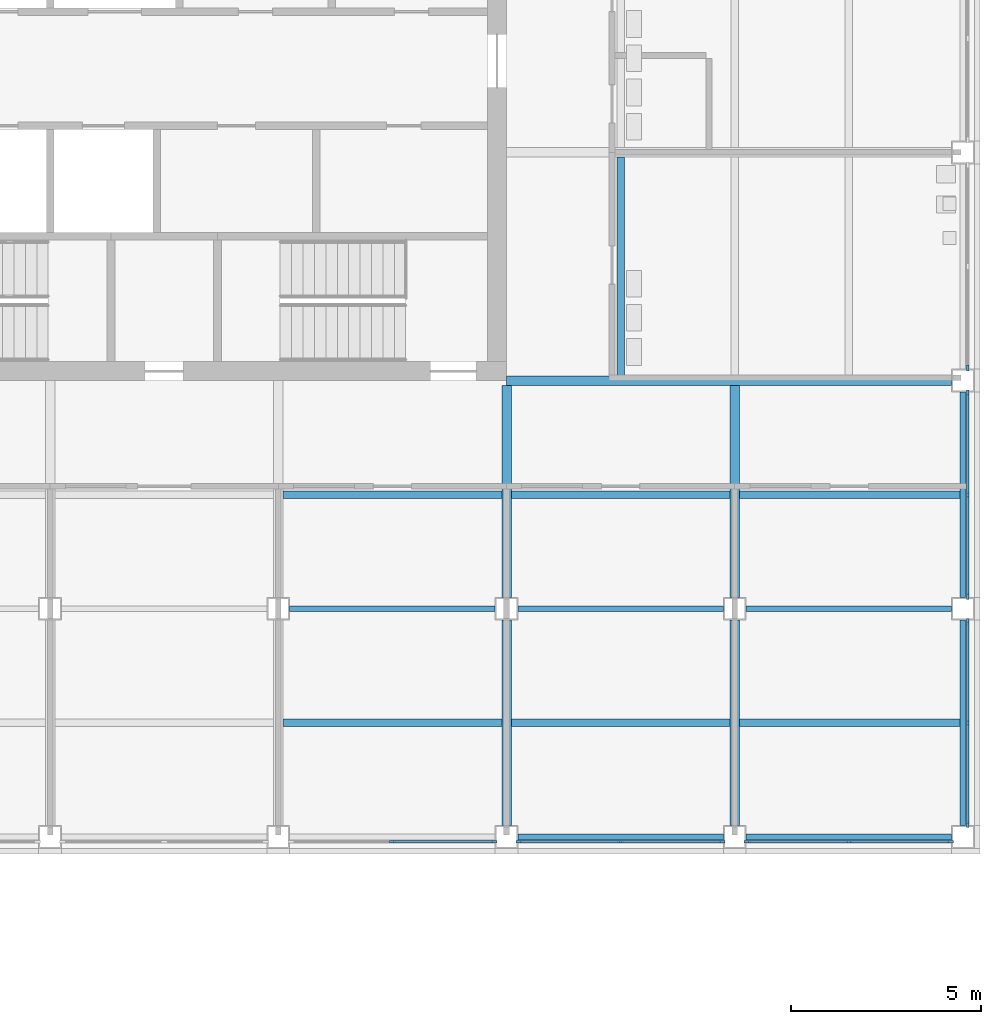
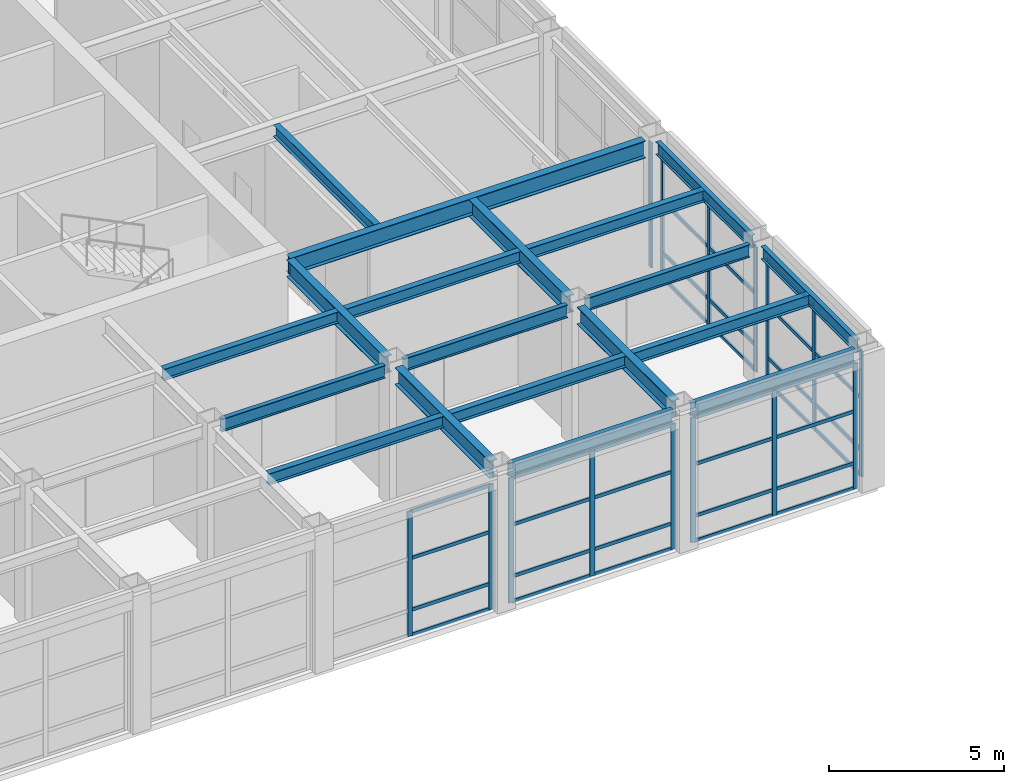
# One storey, part 12 of 67: 51 members, 19 beams, 6 elements without a shape of their own.
"""IFC4 building model written with IfcOpenShell, lengths in metres."""

from ifc_helpers import new_model, si_unit, direction, frame, origin, origin_2d, place, context, subcontext, project, spatial, rectangle, i_section, extrude, material, material_profile, profile_set, type_object, element, aggregate, save


model = new_model("IFC4")

# Units and contexts
model_context = context("Model", 3, precision=1e-05, world=origin(), true_north=direction((0.0, 1.0)))
body_context = subcontext(model_context, "Body", "Model", "MODEL_VIEW")
ifc_project = project(units=[si_unit("LENGTHUNIT", "METRE"), si_unit("AREAUNIT", "SQUARE_METRE"), si_unit("VOLUMEUNIT", "CUBIC_METRE"), si_unit("PLANEANGLEUNIT", "RADIAN"), si_unit("MASSUNIT", "GRAM", prefix="KILO")], contexts=[model_context])

# Site, building, storey
site_placement = place(None, origin())
site = spatial("IfcSite", under=ifc_project, at=site_placement, CompositionType="ELEMENT")
building_placement = place(site_placement, origin())
building = spatial("IfcBuilding", under=site, at=building_placement, Name="Aravalli Gate Trade Fair Centre", CompositionType="ELEMENT")
storey_placement = place(building_placement, frame((0.0, 0.0, 5.0)))
storey = spatial("IfcBuildingStorey", under=building, at=storey_placement, Name="L01", CompositionType="ELEMENT", Elevation=5.0)

# Beams
ifc_material_1 = material(Name="Steel E350", Category="steel")
ifc_material_profile_1 = material_profile(ifc_material_1, i_section(OverallWidth=0.25, OverallDepth=0.60009765625, WebThickness=0.01123046875, FlangeThickness=0.021240234375, at=origin_2d()), Name="ISWB 600")
ifc_profile_set_1 = profile_set([ifc_material_profile_1], Name="Steel E350")
beam_type_1 = type_object("IfcBeamType", Name="Wing core to perimeter girder ISWB 600 (podium floors)", PredefinedType="BEAM", material=ifc_profile_set_1)
beam_1_placement = place(storey_placement, frame((190.0, 103.0, 4.5), z_axis=(1.0, 0.0, 0.0), x_axis=(0.0, 1.0, 0.0)))
element("IfcBeam", 1, at=beam_1_placement, inside=storey, type_object=beam_type_1, Name="Core to perimeter girder PE0 L02", PredefinedType="BEAM", context=body_context, shape_type="SweptSolid", body=[
    extrude(i_section(OverallWidth=0.25, OverallDepth=0.60009765625, WebThickness=0.01123046875, FlangeThickness=0.021240234375, at=origin_2d()), origin(), (0.0, 0.0, 1.0), 11.699951171875),
])
beam_2_placement = place(storey_placement, frame((190.0, 91.300048828125, 4.5), z_axis=(0.0, 1.0, 0.0), x_axis=(-1.0, 0.0, 0.0)))
element("IfcBeam", 2, at=beam_2_placement, inside=storey, type_object=beam_type_1, Name="Core to perimeter girder PS3a L02", PredefinedType="BEAM", context=body_context, shape_type="SweptSolid", body=[
    extrude(i_section(OverallWidth=0.25, OverallDepth=0.60009765625, WebThickness=0.01123046875, FlangeThickness=0.021240234375, at=origin_2d()), origin(), (0.0, 0.0, 1.0), 5.39990234375),
])
beam_3_placement = place(storey_placement, frame((190.0, 97.300048828125, 4.5), z_axis=(0.0, 1.0, 0.0), x_axis=(-1.0, 0.0, 0.0)))
element("IfcBeam", 3, at=beam_3_placement, inside=storey, type_object=beam_type_1, Name="Core to perimeter girder PS3b L02", PredefinedType="BEAM", context=body_context, shape_type="SweptSolid", body=[
    extrude(i_section(OverallWidth=0.25, OverallDepth=0.60009765625, WebThickness=0.01123046875, FlangeThickness=0.021240234375, at=origin_2d()), origin(), (0.0, 0.0, 1.0), 5.574951171875),
])
ifc_material_profile_2 = material_profile(ifc_material_1, i_section(OverallWidth=0.25, OverallDepth=0.60009765625, WebThickness=0.01123046875, FlangeThickness=0.021240234375, at=origin_2d()), Name="ISWB 600")
ifc_profile_set_2 = profile_set([ifc_material_profile_2], Name="Steel E350")
beam_type_2 = type_object("IfcBeamType", Name="Wing corner transfer girder ISWB 600 (podium floors)", PredefinedType="BEAM", material=ifc_profile_set_2)
beam_4_placement = place(storey_placement, frame((196.0, 91.300048828125, 4.5), z_axis=(0.0, 1.0, 0.0), x_axis=(-1.0, 0.0, 0.0)))
element("IfcBeam", 4, at=beam_4_placement, inside=storey, type_object=beam_type_2, Name="Corner transfer girder CSEya L02", PredefinedType="BEAM", context=body_context, shape_type="SweptSolid", body=[
    extrude(i_section(OverallWidth=0.25, OverallDepth=0.60009765625, WebThickness=0.01123046875, FlangeThickness=0.021240234375, at=origin_2d()), origin(), (0.0, 0.0, 1.0), 5.39990234375),
])
beam_5_placement = place(storey_placement, frame((196.0, 97.300048828125, 4.5), z_axis=(0.0, 1.0, 0.0), x_axis=(-1.0, 0.0, 0.0)))
element("IfcBeam", 5, at=beam_5_placement, inside=storey, type_object=beam_type_2, Name="Corner transfer girder CSEyb L02", PredefinedType="BEAM", context=body_context, shape_type="SweptSolid", body=[
    extrude(i_section(OverallWidth=0.25, OverallDepth=0.60009765625, WebThickness=0.01123046875, FlangeThickness=0.021240234375, at=origin_2d()), origin(), (0.0, 0.0, 1.0), 5.574951171875),
])

# Curtain wall, members
ifc_material_2 = material(Name="Aluminium and glass", Category="aluminium")
curtain_wall_type = type_object("IfcCurtainWallType", Name="Wing curtain wall", PredefinedType="NOTDEFINED", material=ifc_material_2)
curtain_wall_1_placement = place(storey_placement, origin())
curtain_wall_1 = element("IfcCurtainWall", 6, at=curtain_wall_1_placement, inside=storey, type_object=curtain_wall_type, Name="Curtain wall S4 L01", PredefinedType="NOTDEFINED")
ifc_material_3 = material(Name="Aluminium", Category="aluminium")
ifc_material_profile_3 = material_profile(ifc_material_3, rectangle(XDim=0.06005859375, YDim=0.159912109375, at=origin_2d()), Name="Wing curtain wall mullion 60 x 160")
ifc_profile_set_3 = profile_set([ifc_material_profile_3], Name="Aluminium")
member_type_1 = type_object("IfcMemberType", Name="Wing curtain wall mullion 60 x 160", PredefinedType="MULLION", material=ifc_profile_set_3)
member_1_placement = place(storey_placement, frame((187.0, 90.875, 0.0), z_axis=(0.0, 0.0, 1.0), x_axis=(0.0, 1.0, 0.0)))
member_1 = element("IfcMember", 7, at=member_1_placement, type_object=member_type_1, Name="TCW1 mullion 2", PredefinedType="MULLION", context=body_context, shape_type="SweptSolid", body=[
    extrude(rectangle(XDim=0.06005859375, YDim=0.159912109375, at=origin_2d()), origin(), (0.0, 0.0, 1.0), 4.35009765625),
])
member_2_placement = place(storey_placement, frame((189.669921875, 90.875, 0.0), z_axis=(0.0, 0.0, 1.0), x_axis=(0.0, 1.0, 0.0)))
member_2 = element("IfcMember", 8, at=member_2_placement, type_object=member_type_1, Name="TCW1 mullion 3", PredefinedType="MULLION", context=body_context, shape_type="SweptSolid", body=[
    extrude(rectangle(XDim=0.06005859375, YDim=0.159912109375, at=origin_2d()), origin(), (0.0, 0.0, 1.0), 4.35009765625),
])

curtain_wall_2_placement = place(storey_placement, origin())
curtain_wall_2 = element("IfcCurtainWall", 9, at=curtain_wall_2_placement, inside=storey, type_object=curtain_wall_type, Name="Curtain wall S5 L01", PredefinedType="NOTDEFINED")
member_3_placement = place(storey_placement, frame((190.330078125, 90.875, 0.0), z_axis=(0.0, 0.0, 1.0), x_axis=(0.0, 1.0, 0.0)))
member_3 = element("IfcMember", 10, at=member_3_placement, type_object=member_type_1, Name="TCW1 mullion 1", PredefinedType="MULLION", context=body_context, shape_type="SweptSolid", body=[
    extrude(rectangle(XDim=0.06005859375, YDim=0.159912109375, at=origin_2d()), origin(), (0.0, 0.0, 1.0), 4.35009765625),
])
member_4_placement = place(storey_placement, frame((193.0, 90.875, 0.0), z_axis=(0.0, 0.0, 1.0), x_axis=(0.0, 1.0, 0.0)))
member_4 = element("IfcMember", 11, at=member_4_placement, type_object=member_type_1, Name="TCW1 mullion 2", PredefinedType="MULLION", context=body_context, shape_type="SweptSolid", body=[
    extrude(rectangle(XDim=0.06005859375, YDim=0.159912109375, at=origin_2d()), origin(), (0.0, 0.0, 1.0), 4.35009765625),
])
member_5_placement = place(storey_placement, frame((195.669921875, 90.875, 0.0), z_axis=(0.0, 0.0, 1.0), x_axis=(0.0, 1.0, 0.0)))
member_5 = element("IfcMember", 12, at=member_5_placement, type_object=member_type_1, Name="TCW1 mullion 3", PredefinedType="MULLION", context=body_context, shape_type="SweptSolid", body=[
    extrude(rectangle(XDim=0.06005859375, YDim=0.159912109375, at=origin_2d()), origin(), (0.0, 0.0, 1.0), 4.35009765625),
])

curtain_wall_3_placement = place(storey_placement, origin())
curtain_wall_3 = element("IfcCurtainWall", 13, at=curtain_wall_3_placement, inside=storey, type_object=curtain_wall_type, Name="Curtain wall S6 L01", PredefinedType="NOTDEFINED")
member_6_placement = place(storey_placement, frame((196.330078125, 90.875, 0.0), z_axis=(0.0, 0.0, 1.0), x_axis=(0.0, 1.0, 0.0)))
member_6 = element("IfcMember", 14, at=member_6_placement, type_object=member_type_1, Name="TCW1 mullion 1", PredefinedType="MULLION", context=body_context, shape_type="SweptSolid", body=[
    extrude(rectangle(XDim=0.06005859375, YDim=0.159912109375, at=origin_2d()), origin(), (0.0, 0.0, 1.0), 4.35009765625),
])
member_7_placement = place(storey_placement, frame((199.0, 90.875, 0.0), z_axis=(0.0, 0.0, 1.0), x_axis=(0.0, 1.0, 0.0)))
member_7 = element("IfcMember", 15, at=member_7_placement, type_object=member_type_1, Name="TCW1 mullion 2", PredefinedType="MULLION", context=body_context, shape_type="SweptSolid", body=[
    extrude(rectangle(XDim=0.06005859375, YDim=0.159912109375, at=origin_2d()), origin(), (0.0, 0.0, 1.0), 4.35009765625),
])
member_8_placement = place(storey_placement, frame((201.669921875, 90.875, 0.0), z_axis=(0.0, 0.0, 1.0), x_axis=(0.0, 1.0, 0.0)))
member_8 = element("IfcMember", 16, at=member_8_placement, type_object=member_type_1, Name="TCW1 mullion 3", PredefinedType="MULLION", context=body_context, shape_type="SweptSolid", body=[
    extrude(rectangle(XDim=0.06005859375, YDim=0.159912109375, at=origin_2d()), origin(), (0.0, 0.0, 1.0), 4.35009765625),
])

curtain_wall_4_placement = place(storey_placement, origin())
curtain_wall_4 = element("IfcCurtainWall", 17, at=curtain_wall_4_placement, inside=storey, type_object=curtain_wall_type, Name="Curtain wall E0 L01", PredefinedType="NOTDEFINED")
member_9_placement = place(storey_placement, frame((202.125, 91.330078125, 0.0), z_axis=(0.0, 0.0, 1.0), x_axis=(-1.0, 0.0, 0.0)))
member_9 = element("IfcMember", 18, at=member_9_placement, type_object=member_type_1, Name="TCW1 mullion 1", PredefinedType="MULLION", context=body_context, shape_type="SweptSolid", body=[
    extrude(rectangle(XDim=0.06005859375, YDim=0.159912109375, at=origin_2d()), origin(), (0.0, 0.0, 1.0), 4.35009765625),
])
member_10_placement = place(storey_placement, frame((202.125, 94.0, 0.0), z_axis=(0.0, 0.0, 1.0), x_axis=(-1.0, 0.0, 0.0)))
member_10 = element("IfcMember", 19, at=member_10_placement, type_object=member_type_1, Name="TCW1 mullion 2", PredefinedType="MULLION", context=body_context, shape_type="SweptSolid", body=[
    extrude(rectangle(XDim=0.06005859375, YDim=0.159912109375, at=origin_2d()), origin(), (0.0, 0.0, 1.0), 4.35009765625),
])
member_11_placement = place(storey_placement, frame((202.125, 96.669921875, 0.0), z_axis=(0.0, 0.0, 1.0), x_axis=(-1.0, 0.0, 0.0)))
member_11 = element("IfcMember", 20, at=member_11_placement, type_object=member_type_1, Name="TCW1 mullion 3", PredefinedType="MULLION", context=body_context, shape_type="SweptSolid", body=[
    extrude(rectangle(XDim=0.06005859375, YDim=0.159912109375, at=origin_2d()), origin(), (0.0, 0.0, 1.0), 4.35009765625),
])

curtain_wall_5_placement = place(storey_placement, origin())
curtain_wall_5 = element("IfcCurtainWall", 21, at=curtain_wall_5_placement, inside=storey, type_object=curtain_wall_type, Name="Curtain wall E1 L01", PredefinedType="NOTDEFINED")
member_12_placement = place(storey_placement, frame((202.125, 97.330078125, 0.0), z_axis=(0.0, 0.0, 1.0), x_axis=(-1.0, 0.0, 0.0)))
member_12 = element("IfcMember", 22, at=member_12_placement, type_object=member_type_1, Name="TCW1 mullion 1", PredefinedType="MULLION", context=body_context, shape_type="SweptSolid", body=[
    extrude(rectangle(XDim=0.06005859375, YDim=0.159912109375, at=origin_2d()), origin(), (0.0, 0.0, 1.0), 4.35009765625),
])
member_13_placement = place(storey_placement, frame((202.125, 100.0, 0.0), z_axis=(0.0, 0.0, 1.0), x_axis=(-1.0, 0.0, 0.0)))
member_13 = element("IfcMember", 23, at=member_13_placement, type_object=member_type_1, Name="TCW1 mullion 2", PredefinedType="MULLION", context=body_context, shape_type="SweptSolid", body=[
    extrude(rectangle(XDim=0.06005859375, YDim=0.159912109375, at=origin_2d()), origin(), (0.0, 0.0, 1.0), 4.35009765625),
])
member_14_placement = place(storey_placement, frame((202.125, 102.669921875, 0.0), z_axis=(0.0, 0.0, 1.0), x_axis=(-1.0, 0.0, 0.0)))
member_14 = element("IfcMember", 24, at=member_14_placement, type_object=member_type_1, Name="TCW1 mullion 3", PredefinedType="MULLION", context=body_context, shape_type="SweptSolid", body=[
    extrude(rectangle(XDim=0.06005859375, YDim=0.159912109375, at=origin_2d()), origin(), (0.0, 0.0, 1.0), 4.35009765625),
])

# Curtain wall, member
curtain_wall_6_placement = place(storey_placement, origin())
curtain_wall_6 = element("IfcCurtainWall", 25, at=curtain_wall_6_placement, inside=storey, type_object=curtain_wall_type, Name="Curtain wall E2 L01", PredefinedType="NOTDEFINED")
member_15_placement = place(storey_placement, frame((202.125, 103.330078125, 0.0), z_axis=(0.0, 0.0, 1.0), x_axis=(-1.0, 0.0, 0.0)))
member_15 = element("IfcMember", 26, at=member_15_placement, type_object=member_type_1, Name="TCW1 mullion 1", PredefinedType="MULLION", context=body_context, shape_type="SweptSolid", body=[
    extrude(rectangle(XDim=0.06005859375, YDim=0.159912109375, at=origin_2d()), origin(), (0.0, 0.0, 1.0), 4.35009765625),
])
aggregate(curtain_wall_6, [member_15])

# Member
ifc_material_profile_4 = material_profile(ifc_material_3, rectangle(XDim=0.06005859375, YDim=0.1201171875, at=origin_2d()), Name="Wing curtain wall transom 60 x 120")
ifc_profile_set_4 = profile_set([ifc_material_profile_4], Name="Aluminium")
member_type_2 = type_object("IfcMemberType", Name="Wing curtain wall transom 60 x 120", PredefinedType="USERDEFINED", material=ifc_profile_set_4)
member_16_placement = place(storey_placement, frame((187.030029296875, 90.875, 0.030029296875), z_axis=(1.0, 0.0, 0.0), x_axis=(0.0, 1.0, 0.0)))
member_16 = element("IfcMember", 27, at=member_16_placement, type_object=member_type_2, Name="TCW1 transom 2.1", ObjectType="TRANSOM", PredefinedType="USERDEFINED", context=body_context, shape_type="SweptSolid", body=[
    extrude(rectangle(XDim=0.06005859375, YDim=0.1201171875, at=origin_2d()), origin(), (0.0, 0.0, 1.0), 2.60986328125),
])

member_17_placement = place(storey_placement, frame((187.030029296875, 90.875, 0.89990234375), z_axis=(1.0, 0.0, 0.0), x_axis=(0.0, 1.0, 0.0)))
member_17 = element("IfcMember", 28, at=member_17_placement, type_object=member_type_2, Name="TCW1 transom 2.2", ObjectType="TRANSOM", PredefinedType="USERDEFINED", context=body_context, shape_type="SweptSolid", body=[
    extrude(rectangle(XDim=0.06005859375, YDim=0.1201171875, at=origin_2d()), origin(), (0.0, 0.0, 1.0), 2.60986328125),
])

member_18_placement = place(storey_placement, frame((187.030029296875, 90.875, 2.699951171875), z_axis=(1.0, 0.0, 0.0), x_axis=(0.0, 1.0, 0.0)))
member_18 = element("IfcMember", 29, at=member_18_placement, type_object=member_type_2, Name="TCW1 transom 2.3", ObjectType="TRANSOM", PredefinedType="USERDEFINED", context=body_context, shape_type="SweptSolid", body=[
    extrude(rectangle(XDim=0.06005859375, YDim=0.1201171875, at=origin_2d()), origin(), (0.0, 0.0, 1.0), 2.60986328125),
])

member_19_placement = place(storey_placement, frame((187.030029296875, 90.875, 4.320068359375), z_axis=(1.0, 0.0, 0.0), x_axis=(0.0, 1.0, 0.0)))
member_19 = element("IfcMember", 30, at=member_19_placement, type_object=member_type_2, Name="TCW1 transom 2.4", ObjectType="TRANSOM", PredefinedType="USERDEFINED", context=body_context, shape_type="SweptSolid", body=[
    extrude(rectangle(XDim=0.06005859375, YDim=0.1201171875, at=origin_2d()), origin(), (0.0, 0.0, 1.0), 2.60986328125),
])

aggregate(curtain_wall_1, [member_1, member_2, member_16, member_17, member_18, member_19])

member_20_placement = place(storey_placement, frame((190.360107421875, 90.875, 0.030029296875), z_axis=(1.0, 0.0, 0.0), x_axis=(0.0, 1.0, 0.0)))
member_20 = element("IfcMember", 31, at=member_20_placement, type_object=member_type_2, Name="TCW1 transom 1.1", ObjectType="TRANSOM", PredefinedType="USERDEFINED", context=body_context, shape_type="SweptSolid", body=[
    extrude(rectangle(XDim=0.06005859375, YDim=0.1201171875, at=origin_2d()), origin(), (0.0, 0.0, 1.0), 2.60986328125),
])

member_21_placement = place(storey_placement, frame((190.360107421875, 90.875, 0.89990234375), z_axis=(1.0, 0.0, 0.0), x_axis=(0.0, 1.0, 0.0)))
member_21 = element("IfcMember", 32, at=member_21_placement, type_object=member_type_2, Name="TCW1 transom 1.2", ObjectType="TRANSOM", PredefinedType="USERDEFINED", context=body_context, shape_type="SweptSolid", body=[
    extrude(rectangle(XDim=0.06005859375, YDim=0.1201171875, at=origin_2d()), origin(), (0.0, 0.0, 1.0), 2.60986328125),
])

member_22_placement = place(storey_placement, frame((190.360107421875, 90.875, 2.699951171875), z_axis=(1.0, 0.0, 0.0), x_axis=(0.0, 1.0, 0.0)))
member_22 = element("IfcMember", 33, at=member_22_placement, type_object=member_type_2, Name="TCW1 transom 1.3", ObjectType="TRANSOM", PredefinedType="USERDEFINED", context=body_context, shape_type="SweptSolid", body=[
    extrude(rectangle(XDim=0.06005859375, YDim=0.1201171875, at=origin_2d()), origin(), (0.0, 0.0, 1.0), 2.60986328125),
])

member_23_placement = place(storey_placement, frame((190.360107421875, 90.875, 4.320068359375), z_axis=(1.0, 0.0, 0.0), x_axis=(0.0, 1.0, 0.0)))
member_23 = element("IfcMember", 34, at=member_23_placement, type_object=member_type_2, Name="TCW1 transom 1.4", ObjectType="TRANSOM", PredefinedType="USERDEFINED", context=body_context, shape_type="SweptSolid", body=[
    extrude(rectangle(XDim=0.06005859375, YDim=0.1201171875, at=origin_2d()), origin(), (0.0, 0.0, 1.0), 2.60986328125),
])

member_24_placement = place(storey_placement, frame((193.030029296875, 90.875, 0.030029296875), z_axis=(1.0, 0.0, 0.0), x_axis=(0.0, 1.0, 0.0)))
member_24 = element("IfcMember", 35, at=member_24_placement, type_object=member_type_2, Name="TCW1 transom 2.1", ObjectType="TRANSOM", PredefinedType="USERDEFINED", context=body_context, shape_type="SweptSolid", body=[
    extrude(rectangle(XDim=0.06005859375, YDim=0.1201171875, at=origin_2d()), origin(), (0.0, 0.0, 1.0), 2.60986328125),
])

member_25_placement = place(storey_placement, frame((193.030029296875, 90.875, 0.89990234375), z_axis=(1.0, 0.0, 0.0), x_axis=(0.0, 1.0, 0.0)))
member_25 = element("IfcMember", 36, at=member_25_placement, type_object=member_type_2, Name="TCW1 transom 2.2", ObjectType="TRANSOM", PredefinedType="USERDEFINED", context=body_context, shape_type="SweptSolid", body=[
    extrude(rectangle(XDim=0.06005859375, YDim=0.1201171875, at=origin_2d()), origin(), (0.0, 0.0, 1.0), 2.60986328125),
])

member_26_placement = place(storey_placement, frame((193.030029296875, 90.875, 2.699951171875), z_axis=(1.0, 0.0, 0.0), x_axis=(0.0, 1.0, 0.0)))
member_26 = element("IfcMember", 37, at=member_26_placement, type_object=member_type_2, Name="TCW1 transom 2.3", ObjectType="TRANSOM", PredefinedType="USERDEFINED", context=body_context, shape_type="SweptSolid", body=[
    extrude(rectangle(XDim=0.06005859375, YDim=0.1201171875, at=origin_2d()), origin(), (0.0, 0.0, 1.0), 2.60986328125),
])

member_27_placement = place(storey_placement, frame((193.030029296875, 90.875, 4.320068359375), z_axis=(1.0, 0.0, 0.0), x_axis=(0.0, 1.0, 0.0)))
member_27 = element("IfcMember", 38, at=member_27_placement, type_object=member_type_2, Name="TCW1 transom 2.4", ObjectType="TRANSOM", PredefinedType="USERDEFINED", context=body_context, shape_type="SweptSolid", body=[
    extrude(rectangle(XDim=0.06005859375, YDim=0.1201171875, at=origin_2d()), origin(), (0.0, 0.0, 1.0), 2.60986328125),
])

aggregate(curtain_wall_2, [member_3, member_4, member_5, member_20, member_21, member_22, member_23, member_24, member_25, member_26, member_27])

member_28_placement = place(storey_placement, frame((196.360107421875, 90.875, 0.030029296875), z_axis=(1.0, 0.0, 0.0), x_axis=(0.0, 1.0, 0.0)))
member_28 = element("IfcMember", 39, at=member_28_placement, type_object=member_type_2, Name="TCW1 transom 1.1", ObjectType="TRANSOM", PredefinedType="USERDEFINED", context=body_context, shape_type="SweptSolid", body=[
    extrude(rectangle(XDim=0.06005859375, YDim=0.1201171875, at=origin_2d()), origin(), (0.0, 0.0, 1.0), 2.60986328125),
])

member_29_placement = place(storey_placement, frame((196.360107421875, 90.875, 0.89990234375), z_axis=(1.0, 0.0, 0.0), x_axis=(0.0, 1.0, 0.0)))
member_29 = element("IfcMember", 40, at=member_29_placement, type_object=member_type_2, Name="TCW1 transom 1.2", ObjectType="TRANSOM", PredefinedType="USERDEFINED", context=body_context, shape_type="SweptSolid", body=[
    extrude(rectangle(XDim=0.06005859375, YDim=0.1201171875, at=origin_2d()), origin(), (0.0, 0.0, 1.0), 2.60986328125),
])

member_30_placement = place(storey_placement, frame((196.360107421875, 90.875, 2.699951171875), z_axis=(1.0, 0.0, 0.0), x_axis=(0.0, 1.0, 0.0)))
member_30 = element("IfcMember", 41, at=member_30_placement, type_object=member_type_2, Name="TCW1 transom 1.3", ObjectType="TRANSOM", PredefinedType="USERDEFINED", context=body_context, shape_type="SweptSolid", body=[
    extrude(rectangle(XDim=0.06005859375, YDim=0.1201171875, at=origin_2d()), origin(), (0.0, 0.0, 1.0), 2.60986328125),
])

member_31_placement = place(storey_placement, frame((196.360107421875, 90.875, 4.320068359375), z_axis=(1.0, 0.0, 0.0), x_axis=(0.0, 1.0, 0.0)))
member_31 = element("IfcMember", 42, at=member_31_placement, type_object=member_type_2, Name="TCW1 transom 1.4", ObjectType="TRANSOM", PredefinedType="USERDEFINED", context=body_context, shape_type="SweptSolid", body=[
    extrude(rectangle(XDim=0.06005859375, YDim=0.1201171875, at=origin_2d()), origin(), (0.0, 0.0, 1.0), 2.60986328125),
])

member_32_placement = place(storey_placement, frame((199.030029296875, 90.875, 0.030029296875), z_axis=(1.0, 0.0, 0.0), x_axis=(0.0, 1.0, 0.0)))
member_32 = element("IfcMember", 43, at=member_32_placement, type_object=member_type_2, Name="TCW1 transom 2.1", ObjectType="TRANSOM", PredefinedType="USERDEFINED", context=body_context, shape_type="SweptSolid", body=[
    extrude(rectangle(XDim=0.06005859375, YDim=0.1201171875, at=origin_2d()), origin(), (0.0, 0.0, 1.0), 2.60986328125),
])

member_33_placement = place(storey_placement, frame((199.030029296875, 90.875, 0.89990234375), z_axis=(1.0, 0.0, 0.0), x_axis=(0.0, 1.0, 0.0)))
member_33 = element("IfcMember", 44, at=member_33_placement, type_object=member_type_2, Name="TCW1 transom 2.2", ObjectType="TRANSOM", PredefinedType="USERDEFINED", context=body_context, shape_type="SweptSolid", body=[
    extrude(rectangle(XDim=0.06005859375, YDim=0.1201171875, at=origin_2d()), origin(), (0.0, 0.0, 1.0), 2.60986328125),
])

member_34_placement = place(storey_placement, frame((199.030029296875, 90.875, 2.699951171875), z_axis=(1.0, 0.0, 0.0), x_axis=(0.0, 1.0, 0.0)))
member_34 = element("IfcMember", 45, at=member_34_placement, type_object=member_type_2, Name="TCW1 transom 2.3", ObjectType="TRANSOM", PredefinedType="USERDEFINED", context=body_context, shape_type="SweptSolid", body=[
    extrude(rectangle(XDim=0.06005859375, YDim=0.1201171875, at=origin_2d()), origin(), (0.0, 0.0, 1.0), 2.60986328125),
])

member_35_placement = place(storey_placement, frame((199.030029296875, 90.875, 4.320068359375), z_axis=(1.0, 0.0, 0.0), x_axis=(0.0, 1.0, 0.0)))
member_35 = element("IfcMember", 46, at=member_35_placement, type_object=member_type_2, Name="TCW1 transom 2.4", ObjectType="TRANSOM", PredefinedType="USERDEFINED", context=body_context, shape_type="SweptSolid", body=[
    extrude(rectangle(XDim=0.06005859375, YDim=0.1201171875, at=origin_2d()), origin(), (0.0, 0.0, 1.0), 2.60986328125),
])

aggregate(curtain_wall_3, [member_6, member_7, member_8, member_28, member_29, member_30, member_31, member_32, member_33, member_34, member_35])

member_36_placement = place(storey_placement, frame((202.125, 91.360107421875, 0.030029296875), z_axis=(0.0, 1.0, 0.0), x_axis=(-1.0, 0.0, 0.0)))
member_36 = element("IfcMember", 47, at=member_36_placement, type_object=member_type_2, Name="TCW1 transom 1.1", ObjectType="TRANSOM", PredefinedType="USERDEFINED", context=body_context, shape_type="SweptSolid", body=[
    extrude(rectangle(XDim=0.06005859375, YDim=0.1201171875, at=origin_2d()), origin(), (0.0, 0.0, 1.0), 2.60986328125),
])

member_37_placement = place(storey_placement, frame((202.125, 91.360107421875, 0.89990234375), z_axis=(0.0, 1.0, 0.0), x_axis=(-1.0, 0.0, 0.0)))
member_37 = element("IfcMember", 48, at=member_37_placement, type_object=member_type_2, Name="TCW1 transom 1.2", ObjectType="TRANSOM", PredefinedType="USERDEFINED", context=body_context, shape_type="SweptSolid", body=[
    extrude(rectangle(XDim=0.06005859375, YDim=0.1201171875, at=origin_2d()), origin(), (0.0, 0.0, 1.0), 2.60986328125),
])

member_38_placement = place(storey_placement, frame((202.125, 91.360107421875, 2.699951171875), z_axis=(0.0, 1.0, 0.0), x_axis=(-1.0, 0.0, 0.0)))
member_38 = element("IfcMember", 49, at=member_38_placement, type_object=member_type_2, Name="TCW1 transom 1.3", ObjectType="TRANSOM", PredefinedType="USERDEFINED", context=body_context, shape_type="SweptSolid", body=[
    extrude(rectangle(XDim=0.06005859375, YDim=0.1201171875, at=origin_2d()), origin(), (0.0, 0.0, 1.0), 2.60986328125),
])

member_39_placement = place(storey_placement, frame((202.125, 91.360107421875, 4.320068359375), z_axis=(0.0, 1.0, 0.0), x_axis=(-1.0, 0.0, 0.0)))
member_39 = element("IfcMember", 50, at=member_39_placement, type_object=member_type_2, Name="TCW1 transom 1.4", ObjectType="TRANSOM", PredefinedType="USERDEFINED", context=body_context, shape_type="SweptSolid", body=[
    extrude(rectangle(XDim=0.06005859375, YDim=0.1201171875, at=origin_2d()), origin(), (0.0, 0.0, 1.0), 2.60986328125),
])

member_40_placement = place(storey_placement, frame((202.125, 94.030029296875, 0.030029296875), z_axis=(0.0, 1.0, 0.0), x_axis=(-1.0, 0.0, 0.0)))
member_40 = element("IfcMember", 51, at=member_40_placement, type_object=member_type_2, Name="TCW1 transom 2.1", ObjectType="TRANSOM", PredefinedType="USERDEFINED", context=body_context, shape_type="SweptSolid", body=[
    extrude(rectangle(XDim=0.06005859375, YDim=0.1201171875, at=origin_2d()), origin(), (0.0, 0.0, 1.0), 2.60986328125),
])

member_41_placement = place(storey_placement, frame((202.125, 94.030029296875, 0.89990234375), z_axis=(0.0, 1.0, 0.0), x_axis=(-1.0, 0.0, 0.0)))
member_41 = element("IfcMember", 52, at=member_41_placement, type_object=member_type_2, Name="TCW1 transom 2.2", ObjectType="TRANSOM", PredefinedType="USERDEFINED", context=body_context, shape_type="SweptSolid", body=[
    extrude(rectangle(XDim=0.06005859375, YDim=0.1201171875, at=origin_2d()), origin(), (0.0, 0.0, 1.0), 2.60986328125),
])

member_42_placement = place(storey_placement, frame((202.125, 94.030029296875, 2.699951171875), z_axis=(0.0, 1.0, 0.0), x_axis=(-1.0, 0.0, 0.0)))
member_42 = element("IfcMember", 53, at=member_42_placement, type_object=member_type_2, Name="TCW1 transom 2.3", ObjectType="TRANSOM", PredefinedType="USERDEFINED", context=body_context, shape_type="SweptSolid", body=[
    extrude(rectangle(XDim=0.06005859375, YDim=0.1201171875, at=origin_2d()), origin(), (0.0, 0.0, 1.0), 2.60986328125),
])

member_43_placement = place(storey_placement, frame((202.125, 94.030029296875, 4.320068359375), z_axis=(0.0, 1.0, 0.0), x_axis=(-1.0, 0.0, 0.0)))
member_43 = element("IfcMember", 54, at=member_43_placement, type_object=member_type_2, Name="TCW1 transom 2.4", ObjectType="TRANSOM", PredefinedType="USERDEFINED", context=body_context, shape_type="SweptSolid", body=[
    extrude(rectangle(XDim=0.06005859375, YDim=0.1201171875, at=origin_2d()), origin(), (0.0, 0.0, 1.0), 2.60986328125),
])

aggregate(curtain_wall_4, [member_9, member_10, member_11, member_36, member_37, member_38, member_39, member_40, member_41, member_42, member_43])

member_44_placement = place(storey_placement, frame((202.125, 97.360107421875, 0.030029296875), z_axis=(0.0, 1.0, 0.0), x_axis=(-1.0, 0.0, 0.0)))
member_44 = element("IfcMember", 55, at=member_44_placement, type_object=member_type_2, Name="TCW1 transom 1.1", ObjectType="TRANSOM", PredefinedType="USERDEFINED", context=body_context, shape_type="SweptSolid", body=[
    extrude(rectangle(XDim=0.06005859375, YDim=0.1201171875, at=origin_2d()), origin(), (0.0, 0.0, 1.0), 2.60986328125),
])

member_45_placement = place(storey_placement, frame((202.125, 97.360107421875, 0.89990234375), z_axis=(0.0, 1.0, 0.0), x_axis=(-1.0, 0.0, 0.0)))
member_45 = element("IfcMember", 56, at=member_45_placement, type_object=member_type_2, Name="TCW1 transom 1.2", ObjectType="TRANSOM", PredefinedType="USERDEFINED", context=body_context, shape_type="SweptSolid", body=[
    extrude(rectangle(XDim=0.06005859375, YDim=0.1201171875, at=origin_2d()), origin(), (0.0, 0.0, 1.0), 2.60986328125),
])

member_46_placement = place(storey_placement, frame((202.125, 97.360107421875, 2.699951171875), z_axis=(0.0, 1.0, 0.0), x_axis=(-1.0, 0.0, 0.0)))
member_46 = element("IfcMember", 57, at=member_46_placement, type_object=member_type_2, Name="TCW1 transom 1.3", ObjectType="TRANSOM", PredefinedType="USERDEFINED", context=body_context, shape_type="SweptSolid", body=[
    extrude(rectangle(XDim=0.06005859375, YDim=0.1201171875, at=origin_2d()), origin(), (0.0, 0.0, 1.0), 2.60986328125),
])

member_47_placement = place(storey_placement, frame((202.125, 97.360107421875, 4.320068359375), z_axis=(0.0, 1.0, 0.0), x_axis=(-1.0, 0.0, 0.0)))
member_47 = element("IfcMember", 58, at=member_47_placement, type_object=member_type_2, Name="TCW1 transom 1.4", ObjectType="TRANSOM", PredefinedType="USERDEFINED", context=body_context, shape_type="SweptSolid", body=[
    extrude(rectangle(XDim=0.06005859375, YDim=0.1201171875, at=origin_2d()), origin(), (0.0, 0.0, 1.0), 2.60986328125),
])

member_48_placement = place(storey_placement, frame((202.125, 100.030029296875, 0.030029296875), z_axis=(0.0, 1.0, 0.0), x_axis=(-1.0, 0.0, 0.0)))
member_48 = element("IfcMember", 59, at=member_48_placement, type_object=member_type_2, Name="TCW1 transom 2.1", ObjectType="TRANSOM", PredefinedType="USERDEFINED", context=body_context, shape_type="SweptSolid", body=[
    extrude(rectangle(XDim=0.06005859375, YDim=0.1201171875, at=origin_2d()), origin(), (0.0, 0.0, 1.0), 2.60986328125),
])

member_49_placement = place(storey_placement, frame((202.125, 100.030029296875, 0.89990234375), z_axis=(0.0, 1.0, 0.0), x_axis=(-1.0, 0.0, 0.0)))
member_49 = element("IfcMember", 60, at=member_49_placement, type_object=member_type_2, Name="TCW1 transom 2.2", ObjectType="TRANSOM", PredefinedType="USERDEFINED", context=body_context, shape_type="SweptSolid", body=[
    extrude(rectangle(XDim=0.06005859375, YDim=0.1201171875, at=origin_2d()), origin(), (0.0, 0.0, 1.0), 2.60986328125),
])

member_50_placement = place(storey_placement, frame((202.125, 100.030029296875, 2.699951171875), z_axis=(0.0, 1.0, 0.0), x_axis=(-1.0, 0.0, 0.0)))
member_50 = element("IfcMember", 61, at=member_50_placement, type_object=member_type_2, Name="TCW1 transom 2.3", ObjectType="TRANSOM", PredefinedType="USERDEFINED", context=body_context, shape_type="SweptSolid", body=[
    extrude(rectangle(XDim=0.06005859375, YDim=0.1201171875, at=origin_2d()), origin(), (0.0, 0.0, 1.0), 2.60986328125),
])

member_51_placement = place(storey_placement, frame((202.125, 100.030029296875, 4.320068359375), z_axis=(0.0, 1.0, 0.0), x_axis=(-1.0, 0.0, 0.0)))
member_51 = element("IfcMember", 62, at=member_51_placement, type_object=member_type_2, Name="TCW1 transom 2.4", ObjectType="TRANSOM", PredefinedType="USERDEFINED", context=body_context, shape_type="SweptSolid", body=[
    extrude(rectangle(XDim=0.06005859375, YDim=0.1201171875, at=origin_2d()), origin(), (0.0, 0.0, 1.0), 2.60986328125),
])

aggregate(curtain_wall_5, [member_12, member_13, member_14, member_44, member_45, member_46, member_47, member_48, member_49, member_50, member_51])

# Beams
ifc_material_profile_5 = material_profile(ifc_material_1, i_section(OverallWidth=0.14990234375, OverallDepth=0.449951171875, WebThickness=0.009521484375, FlangeThickness=0.017333984375, at=origin_2d()), Name="ISMB 450")
ifc_profile_set_5 = profile_set([ifc_material_profile_5], Name="Steel E350")
beam_type_3 = type_object("IfcBeamType", Name="Wing perimeter beam ISMB 450 (podium floors)", PredefinedType="BEAM", material=ifc_profile_set_5)
for number, where, z_axis, x_axis, name in (
    (63, (190.300048828125, 91.0, 4.574951171875), (1.0, 0.0, 0.0), (0.0, 1.0, 0.0), "Perimeter beam ES5 L02"),
    (64, (196.300048828125, 91.0, 4.574951171875), (1.0, 0.0, 0.0), (0.0, 1.0, 0.0), "Perimeter beam ES6 L02"),
    (65, (184.300048828125, 97.0, 4.574951171875), (1.0, 0.0, 0.0), (0.0, 1.0, 0.0), "Perimeter beam ER4 L02"),
    (66, (190.300048828125, 97.0, 4.574951171875), (1.0, 0.0, 0.0), (0.0, 1.0, 0.0), "Perimeter beam ER5 L02"),
    (67, (196.300048828125, 97.0, 4.574951171875), (1.0, 0.0, 0.0), (0.0, 1.0, 0.0), "Perimeter beam ER6 L02"),
    (68, (202.0, 91.300048828125, 4.574951171875), (0.0, 1.0, 0.0), (-1.0, 0.0, 0.0), "Perimeter beam EE0 L02"),
    (69, (202.0, 97.300048828125, 4.574951171875), (0.0, 1.0, 0.0), (-1.0, 0.0, 0.0), "Perimeter beam EE1 L02"),
):
    element("IfcBeam", number, at=place(storey_placement, frame(where, z_axis=z_axis, x_axis=x_axis)), inside=storey, type_object=beam_type_3, Name=name, PredefinedType="BEAM", context=body_context, shape_type="SweptSolid", body=[
        extrude(i_section(OverallWidth=0.14990234375, OverallDepth=0.449951171875, WebThickness=0.009521484375, FlangeThickness=0.017333984375, at=origin_2d()), origin(), (0.0, 0.0, 1.0), 5.39990234375),
    ])
ifc_material_profile_6 = material_profile(ifc_material_1, i_section(OverallWidth=0.199951171875, OverallDepth=0.39990234375, WebThickness=0.008544921875, FlangeThickness=0.012939453125, at=origin_2d()), Name="ISWB 400")
ifc_profile_set_6 = profile_set([ifc_material_profile_6], Name="Steel E350")
beam_type_4 = type_object("IfcBeamType", Name="Wing secondary beam ISWB 400 (podium floors)", PredefinedType="BEAM", material=ifc_profile_set_6)
beam_6_placement = place(storey_placement, frame((190.125, 94.0, 4.60009765625), z_axis=(1.0, 0.0, 0.0), x_axis=(0.0, 1.0, 0.0)))
element("IfcBeam", 70, at=beam_6_placement, inside=storey, type_object=beam_type_4, Name="Secondary beam KES00 L02", PredefinedType="BEAM", context=body_context, shape_type="SweptSolid", body=[
    extrude(i_section(OverallWidth=0.199951171875, OverallDepth=0.39990234375, WebThickness=0.008544921875, FlangeThickness=0.012939453125, at=origin_2d()), origin(), (0.0, 0.0, 1.0), 5.75),
])
beam_7_placement = place(storey_placement, frame((196.125, 94.0, 4.60009765625), z_axis=(1.0, 0.0, 0.0), x_axis=(0.0, 1.0, 0.0)))
element("IfcBeam", 71, at=beam_7_placement, inside=storey, type_object=beam_type_4, Name="Secondary beam KES01 L02", PredefinedType="BEAM", context=body_context, shape_type="SweptSolid", body=[
    extrude(i_section(OverallWidth=0.199951171875, OverallDepth=0.39990234375, WebThickness=0.008544921875, FlangeThickness=0.012939453125, at=origin_2d()), origin(), (0.0, 0.0, 1.0), 5.800048828125),
])
beam_8_placement = place(storey_placement, frame((190.125, 100.0, 4.60009765625), z_axis=(1.0, 0.0, 0.0), x_axis=(0.0, 1.0, 0.0)))
element("IfcBeam", 72, at=beam_8_placement, inside=storey, type_object=beam_type_4, Name="Secondary beam KES10 L02", PredefinedType="BEAM", context=body_context, shape_type="SweptSolid", body=[
    extrude(i_section(OverallWidth=0.199951171875, OverallDepth=0.39990234375, WebThickness=0.008544921875, FlangeThickness=0.012939453125, at=origin_2d()), origin(), (0.0, 0.0, 1.0), 5.75),
])
beam_9_placement = place(storey_placement, frame((196.125, 100.0, 4.60009765625), z_axis=(1.0, 0.0, 0.0), x_axis=(0.0, 1.0, 0.0)))
element("IfcBeam", 73, at=beam_9_placement, inside=storey, type_object=beam_type_4, Name="Secondary beam KES11 L02", PredefinedType="BEAM", context=body_context, shape_type="SweptSolid", body=[
    extrude(i_section(OverallWidth=0.199951171875, OverallDepth=0.39990234375, WebThickness=0.008544921875, FlangeThickness=0.012939453125, at=origin_2d()), origin(), (0.0, 0.0, 1.0), 5.800048828125),
])
for number, where, z_axis, x_axis, name in (
    (74, (193.0, 103.125, 4.60009765625), (0.0, 1.0, 0.0), (-1.0, 0.0, 0.0), "Secondary beam BE0193 L02"),
    (75, (184.125, 94.0, 4.60009765625), (1.0, 0.0, 0.0), (0.0, 1.0, 0.0), "Secondary beam BS294 L02"),
    (76, (184.125, 100.0, 4.60009765625), (1.0, 0.0, 0.0), (0.0, 1.0, 0.0), "Secondary beam BS2100 L02"),
):
    element("IfcBeam", number, at=place(storey_placement, frame(where, z_axis=z_axis, x_axis=x_axis)), inside=storey, type_object=beam_type_4, Name=name, PredefinedType="BEAM", context=body_context, shape_type="SweptSolid", body=[
        extrude(i_section(OverallWidth=0.199951171875, OverallDepth=0.39990234375, WebThickness=0.008544921875, FlangeThickness=0.012939453125, at=origin_2d()), origin(), (0.0, 0.0, 1.0), 5.75),
    ])

save(model, "model.ifc")
